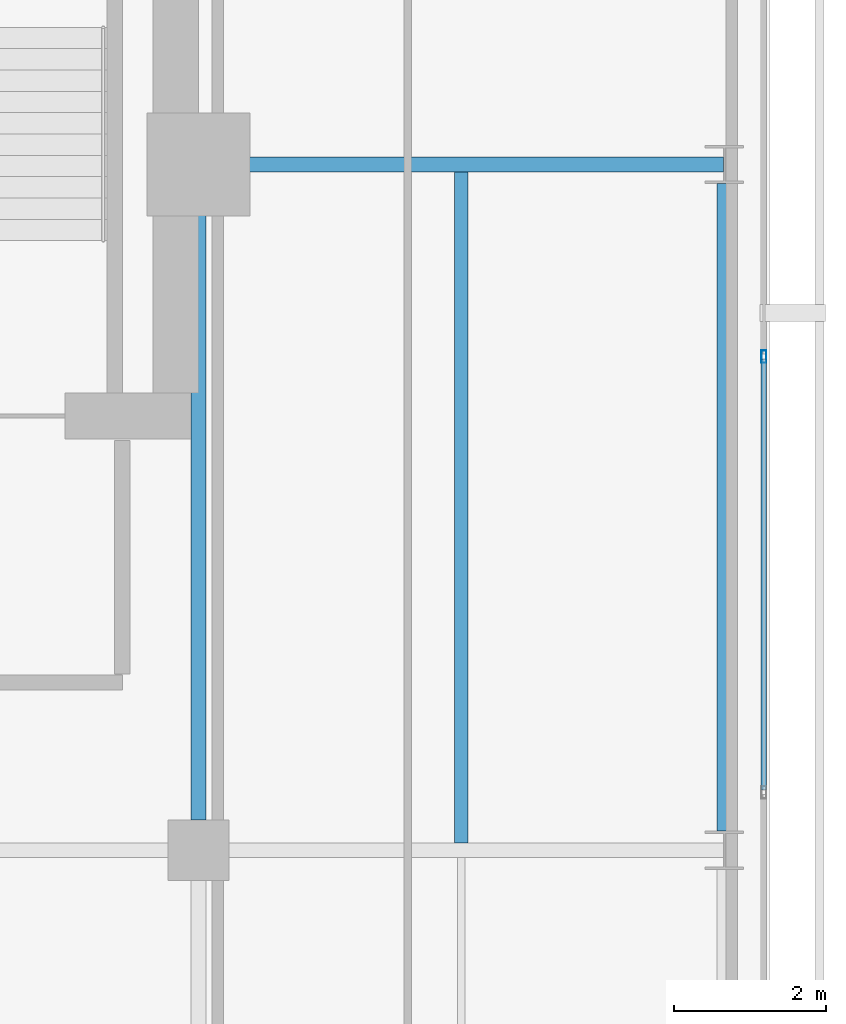
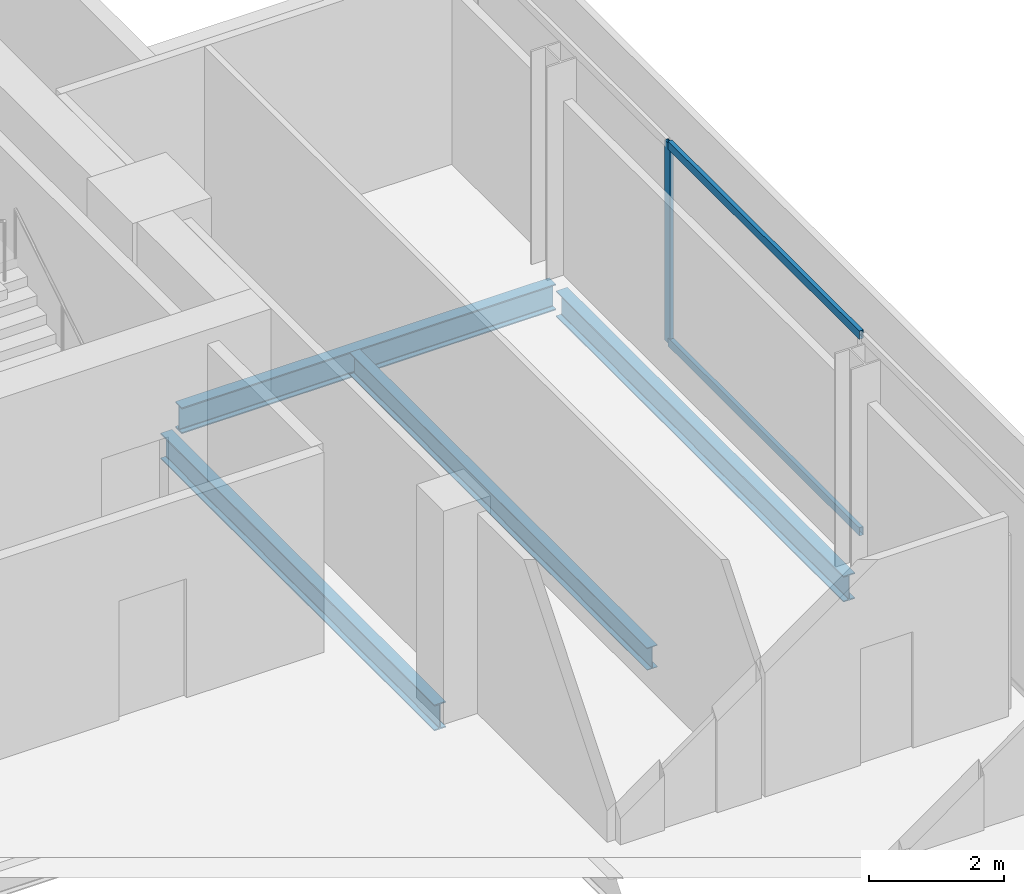
# One storey, part 13 of 23: 4 beams, 3 members, 1 element without a shape of its own.
"""IFC4 building model written with IfcOpenShell, lengths in metres."""

from ifc_helpers import new_model, si_unit, direction, frame, origin, origin_2d, place, context, subcontext, project, spatial, hollow_rectangle, i_section, extrude, material, layer, layer_set, material_profile, profile_set, type_object, element, aggregate, save


model = new_model("IFC4")

# Units and contexts
model_context = context("Model", 3, precision=1e-05, world=origin(), true_north=direction((0.0, 1.0)))
body_context = subcontext(model_context, "Body", "Model", "MODEL_VIEW")
ifc_project = project(units=[si_unit("LENGTHUNIT", "METRE"), si_unit("AREAUNIT", "SQUARE_METRE"), si_unit("VOLUMEUNIT", "CUBIC_METRE"), si_unit("PLANEANGLEUNIT", "RADIAN"), si_unit("MASSUNIT", "GRAM", prefix="KILO")], contexts=[model_context])

# Site, building, storey
site_placement = place(None, origin())
site = spatial("IfcSite", under=ifc_project, at=site_placement, CompositionType="ELEMENT")
building_placement = place(site_placement, origin())
building = spatial("IfcBuilding", under=site, at=building_placement, Name="Maruvema Waterfront Hotel and Observation Tower", CompositionType="ELEMENT")
storey_placement = place(building_placement, frame((0.0, 0.0, 337.39990234375)))
storey = spatial("IfcBuildingStorey", under=building, at=storey_placement, Name="L83", CompositionType="ELEMENT", Elevation=337.39990234375)

# Curtain wall, members
ifc_material_1 = material(Name="Anodised bronze aluminium and solar-control low-E IGU", Category="aluminium")
ifc_layer = layer(ifc_material_1, 0.159912109375, Name="Zone 4 Sky Residence Inner Curtain Wall System CW-05")
ifc_layer_set = layer_set([ifc_layer], Name="Anodised bronze aluminium and solar-control low-E IGU")
curtain_wall_type = type_object("IfcCurtainWallType", Name="Zone 4 Sky Residence Inner Curtain Wall System CW-05", PredefinedType="USERDEFINED", material=ifc_layer_set)
curtain_wall_placement = place(storey_placement, origin())
curtain_wall = element("IfcCurtainWall", 1, at=curtain_wall_placement, inside=storey, type_object=curtain_wall_type, Name="L83 Curtain Wall CW-L83-E", ObjectType="UNITISED CURTAIN WALL", PredefinedType="USERDEFINED")
ifc_material_2 = material(Name="Anodised architectural bronze aluminium", Category="aluminium")
ifc_material_profile_1 = material_profile(ifc_material_2, hollow_rectangle(XDim=0.070068359375, YDim=0.14990234375, WallThickness=0.00390625, at=origin_2d()), Name="ALU-T70x150")
ifc_profile_set_1 = profile_set([ifc_material_profile_1], Name="Anodised architectural bronze aluminium")
member_type_1 = type_object("IfcMemberType", Name="Curtain Wall Horizontal Transom ALU-T70x150", PredefinedType="USERDEFINED", material=ifc_profile_set_1)
member_1_placement = place(storey_placement, frame((57.820068359375, 36.7900390625, 0.030029296875), z_axis=(0.0, 1.0, 0.0), x_axis=(-1.0, 0.0, 0.0)))
member_1 = element("IfcMember", 2, at=member_1_placement, type_object=member_type_1, Name="CW-05 transom 4.1", ObjectType="TRANSOM", PredefinedType="USERDEFINED", context=body_context, shape_type="SweptSolid", body=[
    extrude(hollow_rectangle(XDim=0.070068359375, YDim=0.14990234375, WallThickness=0.00390625, at=origin_2d()), origin(), (0.0, 0.0, 1.0), 5.659912109375),
])
member_2_placement = place(storey_placement, frame((57.820068359375, 36.7900390625, 3.580078125), z_axis=(0.0, 1.0, 0.0), x_axis=(-1.0, 0.0, 0.0)))
member_2 = element("IfcMember", 3, at=member_2_placement, type_object=member_type_1, Name="CW-05 transom 4.2", ObjectType="TRANSOM", PredefinedType="USERDEFINED", context=body_context, shape_type="SweptSolid", body=[
    extrude(hollow_rectangle(XDim=0.070068359375, YDim=0.14990234375, WallThickness=0.00390625, at=origin_2d()), origin(), (0.0, 0.0, 1.0), 5.659912109375),
])
ifc_material_3 = material(Name="Anodised architectural bronze aluminium", Category="aluminium")
ifc_material_profile_2 = material_profile(ifc_material_3, hollow_rectangle(XDim=0.06494140625, YDim=0.1650390625, WallThickness=0.00390625, at=origin_2d()), Name="ALU-M65x165")
ifc_profile_set_2 = profile_set([ifc_material_profile_2], Name="Anodised architectural bronze aluminium")
member_type_2 = type_object("IfcMemberType", Name="Curtain Wall Primary Mullion ALU-M65x165", PredefinedType="MULLION", material=ifc_profile_set_2)
member_3_placement = place(storey_placement, frame((57.820068359375, 42.47998046875, 0.0), z_axis=(0.0, 0.0, 1.0), x_axis=(-1.0, 0.0, 0.0)))
member_3 = element("IfcMember", 4, at=member_3_placement, type_object=member_type_2, Name="CW-05 mullion 5", PredefinedType="MULLION", context=body_context, shape_type="SweptSolid", body=[
    extrude(hollow_rectangle(XDim=0.06494140625, YDim=0.1650390625, WallThickness=0.00390625, at=origin_2d()), origin(), (0.0, 0.0, 1.0), 3.610107421875),
])
aggregate(curtain_wall, [member_3, member_1, member_2])

# Beams
ifc_material_4 = material(Name="Steel ASTM A572 Grade 50", Category="steel")
ifc_material_profile_3 = material_profile(ifc_material_4, i_section(OverallWidth=0.194091796875, OverallDepth=0.468994140625, WebThickness=0.0126953125, FlangeThickness=0.0205078125, FilletRadius=0.014892578125, at=origin_2d()), Name="W460x106.0")
ifc_profile_set_3 = profile_set([ifc_material_profile_3], Name="Steel ASTM A572 Grade 50")
beam_type_1 = type_object("IfcBeamType", Name="Primary Floor Girder W460x106.0", PredefinedType="BEAM", material=ifc_profile_set_3)
beam_1_placement = place(storey_placement, frame((50.89990234375, 45.0, -0.474365234375), z_axis=(1.0, 0.0, 0.0), x_axis=(0.0, 1.0, 0.0)))
element("IfcBeam", 5, at=beam_1_placement, inside=storey, type_object=beam_type_1, Name="L83 Floor Girder EW-16", PredefinedType="BEAM", context=body_context, shape_type="SweptSolid", body=[
    extrude(i_section(OverallWidth=0.194091796875, OverallDepth=0.468994140625, WebThickness=0.0126953125, FlangeThickness=0.0205078125, FilletRadius=0.014892578125, at=origin_2d()), origin(), (0.0, 0.0, 1.0), 6.38916015625),
])
beam_2_placement = place(storey_placement, frame((50.39990234375, 36.39990234375, -0.474365234375), z_axis=(0.0, 1.0, 0.0), x_axis=(-1.0, 0.0, 0.0)))
element("IfcBeam", 6, at=beam_2_placement, inside=storey, type_object=beam_type_1, Name="L83 Floor Girder NS-14", PredefinedType="BEAM", context=body_context, shape_type="SweptSolid", body=[
    extrude(i_section(OverallWidth=0.194091796875, OverallDepth=0.468994140625, WebThickness=0.0126953125, FlangeThickness=0.0205078125, FilletRadius=0.014892578125, at=origin_2d()), origin(), (0.0, 0.0, 1.0), 8.10009765625),
])
beam_3_placement = place(storey_placement, frame((57.300048828125, 36.25, -0.474365234375), z_axis=(0.0, 1.0, 0.0), x_axis=(-1.0, 0.0, 0.0)))
element("IfcBeam", 7, at=beam_3_placement, inside=storey, type_object=beam_type_1, Name="L83 Floor Girder NS-16", PredefinedType="BEAM", context=body_context, shape_type="SweptSolid", body=[
    extrude(i_section(OverallWidth=0.194091796875, OverallDepth=0.468994140625, WebThickness=0.0126953125, FlangeThickness=0.0205078125, FilletRadius=0.014892578125, at=origin_2d()), origin(), (0.0, 0.0, 1.0), 8.5),
])
ifc_material_5 = material(Name="Steel ASTM A572 Grade 50", Category="steel")
ifc_material_profile_4 = material_profile(ifc_material_5, i_section(OverallWidth=0.177001953125, OverallDepth=0.403076171875, WebThickness=0.007568359375, FlangeThickness=0.010986328125, FilletRadius=0.014892578125, at=origin_2d()), Name="W410x53.0")
ifc_profile_set_4 = profile_set([ifc_material_profile_4], Name="Steel ASTM A572 Grade 50")
beam_type_2 = type_object("IfcBeamType", Name="Secondary Floor Joist W410x53.0", PredefinedType="JOIST", material=ifc_profile_set_4)
beam_4_placement = place(storey_placement, frame((53.85009765625, 36.096923828125, -0.44140625), z_axis=(0.0, 1.0, 0.0), x_axis=(-1.0, 0.0, 0.0)))
element("IfcBeam", 8, at=beam_4_placement, inside=storey, type_object=beam_type_2, Name="L83 Secondary Floor Joist JS-07", PredefinedType="JOIST", context=body_context, shape_type="SweptSolid", body=[
    extrude(i_section(OverallWidth=0.177001953125, OverallDepth=0.403076171875, WebThickness=0.007568359375, FlangeThickness=0.010986328125, FilletRadius=0.014892578125, at=origin_2d()), origin(), (0.0, 0.0, 1.0), 8.80615234375),
])

save(model, "model.ifc")
